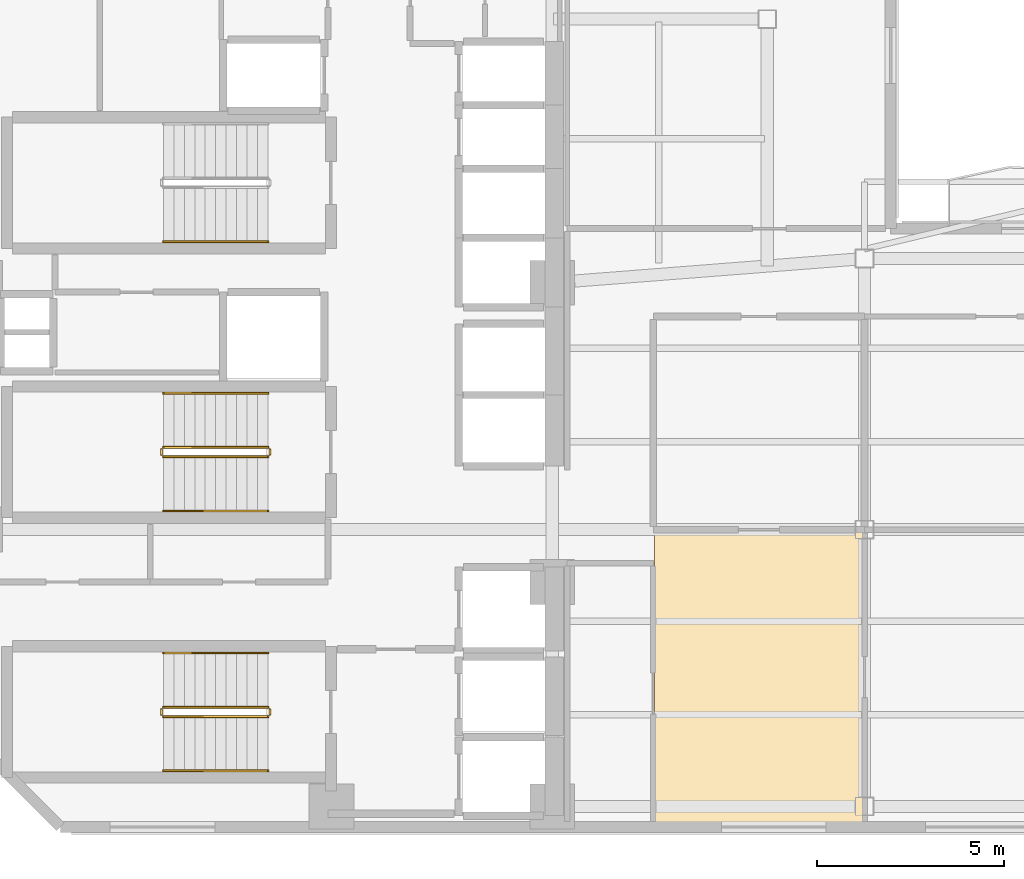
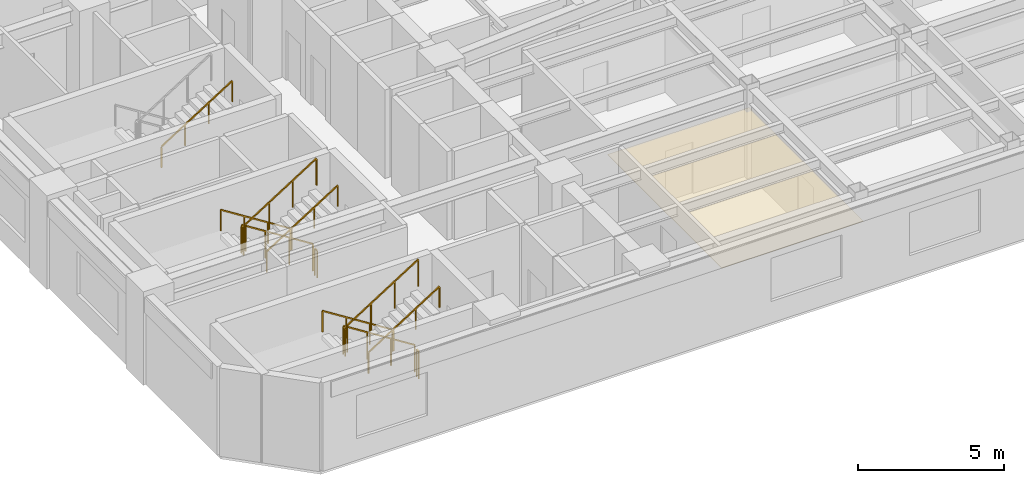
# One storey, part 7 of 12: 13 railings, 1 covering.
"""IFC4 building model written with IfcOpenShell, lengths in metres."""

from ifc_helpers import new_model, si_unit, direction, frame, origin, origin_2d, place, context, subcontext, project, spatial, polyline, rectangle, outline, extrude, material, layer, layer_set, type_object, element, save


model = new_model("IFC4")

# Units and contexts
model_context = context("Model", 3, precision=1e-05, world=origin(), true_north=direction((0.0, 1.0)))
body_context = subcontext(model_context, "Body", "Model", "MODEL_VIEW")
ifc_project = project(units=[si_unit("LENGTHUNIT", "METRE"), si_unit("AREAUNIT", "SQUARE_METRE"), si_unit("VOLUMEUNIT", "CUBIC_METRE"), si_unit("PLANEANGLEUNIT", "RADIAN"), si_unit("MASSUNIT", "GRAM", prefix="KILO")], contexts=[model_context])

# Site, building, storey
site_placement = place(None, origin())
site = spatial("IfcSite", under=ifc_project, at=site_placement, CompositionType="ELEMENT")
building_placement = place(site_placement, origin())
building = spatial("IfcBuilding", under=site, at=building_placement, Name="Mawjaban Terraces University", CompositionType="ELEMENT")
storey_placement = place(building_placement, frame((0.0, 0.0, 134.60009765625)))
storey = spatial("IfcBuildingStorey", under=building, at=storey_placement, Name="L32", CompositionType="ELEMENT", Elevation=134.60009765625)

# Covering
ifc_material_1 = material(Name="Acoustic mineral fibre ceiling tile", Category="masonry")
ifc_layer = layer(ifc_material_1, 0.02001953125)
ifc_layer_set = layer_set([ifc_layer], Name="Acoustic mineral fibre ceiling tile")
covering_type = type_object("IfcCoveringType", Name="AcousticMineralCeiling_20", PredefinedType="CEILING", material=ifc_layer_set)
covering_placement = place(storey_placement, frame((0.0, 0.0, 2.75)))
element("IfcCovering", 1, at=covering_placement, inside=storey, type_object=covering_type, Name="L32 Teaching Laboratory 2 Acoustic Ceiling", PredefinedType="CEILING", context=body_context, shape_type="SweptSolid", body=[
    extrude(outline(polyline([(40.3798828125, 0.114990234375), (45.969970703125, 0.114990234375), (45.969970703125, 7.919921875), (40.3798828125, 7.919921875), (40.3798828125, 0.114990234375)])), origin(), (0.0, 0.0, 1.0), 0.02001953125),
])

# Railings
ifc_material_2 = material(Name="Brushed stainless steel 316", Category="steel")
railing_type_1 = type_object("IfcRailingType", Name="StairWallHandrail_900", PredefinedType="HANDRAIL", material=ifc_material_2)
railing_1_placement = place(storey_placement, frame((30.050048828125, 4.64990234375, 0.17724609375)))
element("IfcRailing", 2, at=railing_1_placement, inside=storey, type_object=railing_type_1, Name="L32 ST-1 stair handrail 1", PredefinedType="HANDRAIL", context=body_context, shape_type="SweptSolid", body=[
    extrude(rectangle(XDim=0.048095703125, YDim=0.048095703125, at=origin_2d()), frame((0.0, 0.0, 0.8759765625), z_axis=(-0.844908973607, 0.0, 0.534910110503), x_axis=(0.0, -1.0, 0.0)), (0.0, 0.0, 1.0), 3.31396484375),
    extrude(rectangle(XDim=0.0419921875, YDim=0.0419921875, at=origin_2d()), origin(), (0.0, 0.0, 1.0), 0.851806640625),
    extrude(rectangle(XDim=0.0419921875, YDim=0.0419921875, at=origin_2d()), frame((-0.933349609375, 0.0, 0.5908203125)), (0.0, 0.0, 1.0), 0.851806640625),
    extrude(rectangle(XDim=0.0419921875, YDim=0.0419921875, at=origin_2d()), frame((-1.86669921875, 0.0, 1.181884765625)), (0.0, 0.0, 1.0), 0.851806640625),
    extrude(rectangle(XDim=0.0419921875, YDim=0.0419921875, at=origin_2d()), frame((-2.800048828125, 0.0, 1.772705078125)), (0.0, 0.0, 1.0), 0.851806640625),
])
for number, where, name in (
    (3, (27.25, 1.5, 2.127197265625), "L32 ST-1 stair handrail 2"),
    (4, (27.25, 15.64990234375, 2.127197265625), "L32 ST-2 stair handrail 2"),
):
    element("IfcRailing", number, at=place(storey_placement, frame(where)), inside=storey, type_object=railing_type_1, Name=name, PredefinedType="HANDRAIL", context=body_context, shape_type="SweptSolid", body=[
        extrude(rectangle(XDim=0.048095703125, YDim=0.048095703125, at=origin_2d()), frame((0.0, 0.0, 0.8759765625), z_axis=(0.844908973607, 0.0, 0.534910110503), x_axis=(0.0, 1.0, 0.0)), (0.0, 0.0, 1.0), 3.31396484375),
        extrude(rectangle(XDim=0.0419921875, YDim=0.0419921875, at=origin_2d()), origin(), (0.0, 0.0, 1.0), 0.851806640625),
        extrude(rectangle(XDim=0.0419921875, YDim=0.0419921875, at=origin_2d()), frame((0.933349609375, 0.0, 0.5908203125)), (0.0, 0.0, 1.0), 0.851806640625),
        extrude(rectangle(XDim=0.0419921875, YDim=0.0419921875, at=origin_2d()), frame((1.86669921875, 0.0, 1.181884765625)), (0.0, 0.0, 1.0), 0.851806640625),
        extrude(rectangle(XDim=0.0419921875, YDim=0.0419921875, at=origin_2d()), frame((2.800048828125, 0.0, 1.772705078125)), (0.0, 0.0, 1.0), 0.851806640625),
    ])
railing_2_placement = place(storey_placement, frame((30.050048828125, 11.60009765625, 0.17724609375)))
element("IfcRailing", 5, at=railing_2_placement, inside=storey, type_object=railing_type_1, Name="L32 ST-3 stair handrail 1", PredefinedType="HANDRAIL", context=body_context, shape_type="SweptSolid", body=[
    extrude(rectangle(XDim=0.048095703125, YDim=0.048095703125, at=origin_2d()), frame((0.0, 0.0, 0.8759765625), z_axis=(-0.844908973607, 0.0, 0.534910110503), x_axis=(0.0, -1.0, 0.0)), (0.0, 0.0, 1.0), 3.31396484375),
    extrude(rectangle(XDim=0.0419921875, YDim=0.0419921875, at=origin_2d()), origin(), (0.0, 0.0, 1.0), 0.851806640625),
    extrude(rectangle(XDim=0.0419921875, YDim=0.0419921875, at=origin_2d()), frame((-0.933349609375, 0.0, 0.5908203125)), (0.0, 0.0, 1.0), 0.851806640625),
    extrude(rectangle(XDim=0.0419921875, YDim=0.0419921875, at=origin_2d()), frame((-1.86669921875, 0.0, 1.181884765625)), (0.0, 0.0, 1.0), 0.851806640625),
    extrude(rectangle(XDim=0.0419921875, YDim=0.0419921875, at=origin_2d()), frame((-2.800048828125, 0.0, 1.772705078125)), (0.0, 0.0, 1.0), 0.851806640625),
])
railing_3_placement = place(storey_placement, frame((27.25, 8.449951171875, 2.127197265625)))
element("IfcRailing", 6, at=railing_3_placement, inside=storey, type_object=railing_type_1, Name="L32 ST-3 stair handrail 2", PredefinedType="HANDRAIL", context=body_context, shape_type="SweptSolid", body=[
    extrude(rectangle(XDim=0.048095703125, YDim=0.048095703125, at=origin_2d()), frame((0.0, 0.0, 0.8759765625), z_axis=(0.844908973607, 0.0, 0.534910110503), x_axis=(0.0, 1.0, 0.0)), (0.0, 0.0, 1.0), 3.31396484375),
    extrude(rectangle(XDim=0.0419921875, YDim=0.0419921875, at=origin_2d()), origin(), (0.0, 0.0, 1.0), 0.851806640625),
    extrude(rectangle(XDim=0.0419921875, YDim=0.0419921875, at=origin_2d()), frame((0.933349609375, 0.0, 0.5908203125)), (0.0, 0.0, 1.0), 0.851806640625),
    extrude(rectangle(XDim=0.0419921875, YDim=0.0419921875, at=origin_2d()), frame((1.86669921875, 0.0, 1.181884765625)), (0.0, 0.0, 1.0), 0.851806640625),
    extrude(rectangle(XDim=0.0419921875, YDim=0.0419921875, at=origin_2d()), frame((2.800048828125, 0.0, 1.772705078125)), (0.0, 0.0, 1.0), 0.851806640625),
])
ifc_material_3 = material(Name="Galvanised painted steel S355", Category="steel")
railing_type_2 = type_object("IfcRailingType", Name="StairWellGuard_1150", PredefinedType="BALUSTRADE", material=ifc_material_3)
railing_4_placement = place(storey_placement, frame((30.050048828125, 3.199951171875, 0.17724609375)))
element("IfcRailing", 7, at=railing_4_placement, inside=storey, type_object=railing_type_2, Name="L32 ST-1 stair guard 1", PredefinedType="BALUSTRADE", context=body_context, shape_type="SweptSolid", body=[
    extrude(rectangle(XDim=0.048095703125, YDim=0.048095703125, at=origin_2d()), frame((0.0, 0.0, 1.1259765625), z_axis=(-0.844908973607, 0.0, 0.534910110503), x_axis=(0.0, -1.0, 0.0)), (0.0, 0.0, 1.0), 3.31396484375),
    extrude(rectangle(XDim=0.0419921875, YDim=0.0419921875, at=origin_2d()), origin(), (0.0, 0.0, 1.0), 1.101806640625),
    extrude(rectangle(XDim=0.0419921875, YDim=0.0419921875, at=origin_2d()), frame((-0.933349609375, 0.0, 0.5908203125)), (0.0, 0.0, 1.0), 1.101806640625),
    extrude(rectangle(XDim=0.0419921875, YDim=0.0419921875, at=origin_2d()), frame((-1.86669921875, 0.0, 1.181884765625)), (0.0, 0.0, 1.0), 1.101806640625),
    extrude(rectangle(XDim=0.0419921875, YDim=0.0419921875, at=origin_2d()), frame((-2.800048828125, 0.0, 1.772705078125)), (0.0, 0.0, 1.0), 1.101806640625),
])
railing_5_placement = place(storey_placement, frame((27.199951171875, 3.14990234375, 1.949951171875)))
element("IfcRailing", 8, at=railing_5_placement, inside=storey, type_object=railing_type_2, Name="L32 ST-1 stair guard 2", PredefinedType="BALUSTRADE", context=body_context, shape_type="SweptSolid", body=[
    extrude(rectangle(XDim=0.048095703125, YDim=0.048095703125, at=origin_2d()), frame((0.0, 0.0, 1.1259765625), z_axis=(0.0, -1.0, 0.0), x_axis=(1.0, 0.0, 0.0)), (0.0, 0.0, 1.0), 0.14990234375),
    extrude(rectangle(XDim=0.0419921875, YDim=0.0419921875, at=origin_2d()), origin(), (0.0, 0.0, 1.0), 1.101806640625),
    extrude(rectangle(XDim=0.0419921875, YDim=0.0419921875, at=origin_2d()), frame((0.0, -0.14990234375, 0.0)), (0.0, 0.0, 1.0), 1.101806640625),
])
railing_6_placement = place(storey_placement, frame((27.25, 2.949951171875, 2.127197265625)))
element("IfcRailing", 9, at=railing_6_placement, inside=storey, type_object=railing_type_2, Name="L32 ST-1 stair guard 3", PredefinedType="BALUSTRADE", context=body_context, shape_type="SweptSolid", body=[
    extrude(rectangle(XDim=0.048095703125, YDim=0.048095703125, at=origin_2d()), frame((0.0, 0.0, 1.1259765625), z_axis=(0.844908973607, 0.0, 0.534910110503), x_axis=(0.0, 1.0, 0.0)), (0.0, 0.0, 1.0), 3.31396484375),
    extrude(rectangle(XDim=0.0419921875, YDim=0.0419921875, at=origin_2d()), origin(), (0.0, 0.0, 1.0), 1.101806640625),
    extrude(rectangle(XDim=0.0419921875, YDim=0.0419921875, at=origin_2d()), frame((0.933349609375, 0.0, 0.5908203125)), (0.0, 0.0, 1.0), 1.101806640625),
    extrude(rectangle(XDim=0.0419921875, YDim=0.0419921875, at=origin_2d()), frame((1.86669921875, 0.0, 1.181884765625)), (0.0, 0.0, 1.0), 1.101806640625),
    extrude(rectangle(XDim=0.0419921875, YDim=0.0419921875, at=origin_2d()), frame((2.800048828125, 0.0, 1.772705078125)), (0.0, 0.0, 1.0), 1.101806640625),
])
railing_7_placement = place(storey_placement, frame((30.10009765625, 3.14990234375, 0.0)))
element("IfcRailing", 10, at=railing_7_placement, inside=storey, type_object=railing_type_2, Name="L32 ST-1 stair guard 4", PredefinedType="BALUSTRADE", context=body_context, shape_type="SweptSolid", body=[
    extrude(rectangle(XDim=0.048095703125, YDim=0.048095703125, at=origin_2d()), frame((0.0, 0.0, 1.1259765625), z_axis=(0.0, -1.0, 0.0), x_axis=(1.0, 0.0, 0.0)), (0.0, 0.0, 1.0), 0.14990234375),
    extrude(rectangle(XDim=0.0419921875, YDim=0.0419921875, at=origin_2d()), origin(), (0.0, 0.0, 1.0), 1.101806640625),
    extrude(rectangle(XDim=0.0419921875, YDim=0.0419921875, at=origin_2d()), frame((0.0, -0.14990234375, 0.0)), (0.0, 0.0, 1.0), 1.101806640625),
])
railing_8_placement = place(storey_placement, frame((30.050048828125, 10.14990234375, 0.17724609375)))
element("IfcRailing", 11, at=railing_8_placement, inside=storey, type_object=railing_type_2, Name="L32 ST-3 stair guard 1", PredefinedType="BALUSTRADE", context=body_context, shape_type="SweptSolid", body=[
    extrude(rectangle(XDim=0.048095703125, YDim=0.048095703125, at=origin_2d()), frame((0.0, 0.0, 1.1259765625), z_axis=(-0.844908973607, 0.0, 0.534910110503), x_axis=(0.0, -1.0, 0.0)), (0.0, 0.0, 1.0), 3.31396484375),
    extrude(rectangle(XDim=0.0419921875, YDim=0.0419921875, at=origin_2d()), origin(), (0.0, 0.0, 1.0), 1.101806640625),
    extrude(rectangle(XDim=0.0419921875, YDim=0.0419921875, at=origin_2d()), frame((-0.933349609375, 0.0, 0.5908203125)), (0.0, 0.0, 1.0), 1.101806640625),
    extrude(rectangle(XDim=0.0419921875, YDim=0.0419921875, at=origin_2d()), frame((-1.86669921875, 0.0, 1.181884765625)), (0.0, 0.0, 1.0), 1.101806640625),
    extrude(rectangle(XDim=0.0419921875, YDim=0.0419921875, at=origin_2d()), frame((-2.800048828125, 0.0, 1.772705078125)), (0.0, 0.0, 1.0), 1.101806640625),
])
railing_9_placement = place(storey_placement, frame((27.199951171875, 10.10009765625, 1.949951171875)))
element("IfcRailing", 12, at=railing_9_placement, inside=storey, type_object=railing_type_2, Name="L32 ST-3 stair guard 2", PredefinedType="BALUSTRADE", context=body_context, shape_type="SweptSolid", body=[
    extrude(rectangle(XDim=0.048095703125, YDim=0.048095703125, at=origin_2d()), frame((0.0, 0.0, 1.1259765625), z_axis=(0.0, -1.0, 0.0), x_axis=(1.0, 0.0, 0.0)), (0.0, 0.0, 1.0), 0.150146484375),
    extrude(rectangle(XDim=0.0419921875, YDim=0.0419921875, at=origin_2d()), origin(), (0.0, 0.0, 1.0), 1.101806640625),
    extrude(rectangle(XDim=0.0419921875, YDim=0.0419921875, at=origin_2d()), frame((0.0, -0.150146484375, 0.0)), (0.0, 0.0, 1.0), 1.101806640625),
])
railing_10_placement = place(storey_placement, frame((27.25, 9.89990234375, 2.127197265625)))
element("IfcRailing", 13, at=railing_10_placement, inside=storey, type_object=railing_type_2, Name="L32 ST-3 stair guard 3", PredefinedType="BALUSTRADE", context=body_context, shape_type="SweptSolid", body=[
    extrude(rectangle(XDim=0.048095703125, YDim=0.048095703125, at=origin_2d()), frame((0.0, 0.0, 1.1259765625), z_axis=(0.844908973607, 0.0, 0.534910110503), x_axis=(0.0, 1.0, 0.0)), (0.0, 0.0, 1.0), 3.31396484375),
    extrude(rectangle(XDim=0.0419921875, YDim=0.0419921875, at=origin_2d()), origin(), (0.0, 0.0, 1.0), 1.101806640625),
    extrude(rectangle(XDim=0.0419921875, YDim=0.0419921875, at=origin_2d()), frame((0.933349609375, 0.0, 0.5908203125)), (0.0, 0.0, 1.0), 1.101806640625),
    extrude(rectangle(XDim=0.0419921875, YDim=0.0419921875, at=origin_2d()), frame((1.86669921875, 0.0, 1.181884765625)), (0.0, 0.0, 1.0), 1.101806640625),
    extrude(rectangle(XDim=0.0419921875, YDim=0.0419921875, at=origin_2d()), frame((2.800048828125, 0.0, 1.772705078125)), (0.0, 0.0, 1.0), 1.101806640625),
])
railing_11_placement = place(storey_placement, frame((30.10009765625, 10.10009765625, 0.0)))
element("IfcRailing", 14, at=railing_11_placement, inside=storey, type_object=railing_type_2, Name="L32 ST-3 stair guard 4", PredefinedType="BALUSTRADE", context=body_context, shape_type="SweptSolid", body=[
    extrude(rectangle(XDim=0.048095703125, YDim=0.048095703125, at=origin_2d()), frame((0.0, 0.0, 1.1259765625), z_axis=(0.0, -1.0, 0.0), x_axis=(1.0, 0.0, 0.0)), (0.0, 0.0, 1.0), 0.150146484375),
    extrude(rectangle(XDim=0.0419921875, YDim=0.0419921875, at=origin_2d()), origin(), (0.0, 0.0, 1.0), 1.101806640625),
    extrude(rectangle(XDim=0.0419921875, YDim=0.0419921875, at=origin_2d()), frame((0.0, -0.150146484375, 0.0)), (0.0, 0.0, 1.0), 1.101806640625),
])

save(model, "model.ifc")
